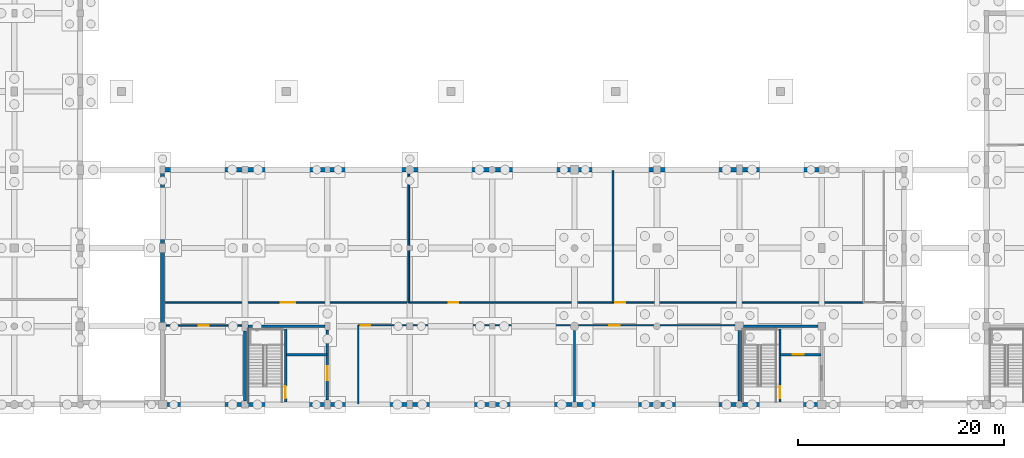
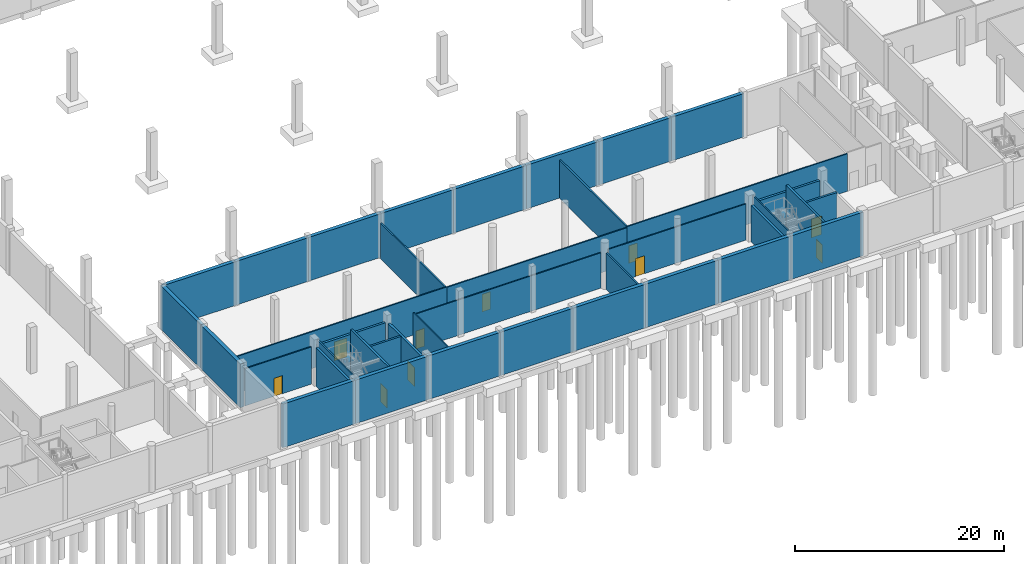
# One storey, part 25 of 44: 39 walls, 10 doors, 10 openings.
"""IFC4 building model written with IfcOpenShell, lengths in metres."""

from ifc_helpers import new_model, si_unit, direction, frame, frame_2d, origin, place, context, subcontext, project, spatial, rectangle, extrude, material, layer, layer_set, type_object, element, fill, save


model = new_model("IFC4")

# Units and contexts
model_context = context("Model", 3, precision=1e-05, world=origin(), true_north=direction((0.0, 1.0)))
body_context = subcontext(model_context, "Body", "Model", "MODEL_VIEW")
ifc_project = project(units=[si_unit("LENGTHUNIT", "METRE"), si_unit("AREAUNIT", "SQUARE_METRE"), si_unit("VOLUMEUNIT", "CUBIC_METRE"), si_unit("PLANEANGLEUNIT", "RADIAN"), si_unit("MASSUNIT", "GRAM", prefix="KILO")], contexts=[model_context])

# Site, building, storey
site_placement = place(None, origin())
site = spatial("IfcSite", under=ifc_project, at=site_placement, CompositionType="ELEMENT")
building_placement = place(site_placement, origin())
building = spatial("IfcBuilding", under=site, at=building_placement, Name="Khelvaren Railside Concert Hall", CompositionType="ELEMENT")
storey_placement = place(building_placement, frame((0.0, 0.0, -5.39990234375)))
storey = spatial("IfcBuildingStorey", under=building, at=storey_placement, Name="B1", CompositionType="ELEMENT", Elevation=-5.39990234375)

# Walls
ifc_material_1 = material(Name="Concrete C40/50", Category="concrete")
ifc_layer_1 = layer(ifc_material_1, 0.139892578125)
ifc_layer_set_1 = layer_set([ifc_layer_1], Name="Concrete C40/50")
wall_type_1 = type_object("IfcWallType", Name="CW17", PredefinedType="SOLIDWALL", material=ifc_layer_set_1)
for number, where, z_axis, x_axis, name in (
    (1, (72.27490234375, 0.14990234375, 0.0), (0.0, 0.0, 1.0), (0.0, 1.0, 0.0), "Core Shaft Structural Liner Wall ST-05-B1"),
    (2, (120.27490234375, 0.14990234375, 0.0), (0.0, 0.0, 1.0), (0.0, 1.0, 0.0), "Core Shaft Structural Liner Wall ST-06-B1"),
):
    element("IfcWall", number, at=place(storey_placement, frame(where, z_axis=z_axis, x_axis=x_axis)), inside=storey, type_object=wall_type_1, Name=name, PredefinedType="SOLIDWALL", context=body_context, shape_type="SweptSolid", body=[
        extrude(rectangle(XDim=7.300048828125, YDim=0.139892578125, at=frame_2d((3.64990234375, 0.0))), origin(), (0.0, 0.0, 1.0), 5.079833984375),
    ])
ifc_layer_2 = layer(ifc_material_1, 0.25)
ifc_layer_set_2 = layer_set([ifc_layer_2], Name="Concrete C40/50")
wall_type_2 = type_object("IfcWallType", Name="CW82", PredefinedType="SOLIDWALL", material=ifc_layer_set_2)
wall_1_placement = place(storey_placement, frame((72.0, 0.35009765625, 0.0), z_axis=(0.0, 0.0, 1.0), x_axis=(0.0, 1.0, 0.0)))
element("IfcWall", 3, at=wall_1_placement, inside=storey, type_object=wall_type_2, Name="Core Enclosure Wall CWALL-ST-05-B1-W", PredefinedType="SOLIDWALL", context=body_context, shape_type="SweptSolid", body=[
    extrude(rectangle(XDim=6.7998046875, YDim=0.25, at=frame_2d((3.39990234375, 0.0))), origin(), (0.0, 0.0, 1.0), 4.449951171875),
])
wall_2_placement = place(storey_placement, frame((72.300048828125, 7.60009765625, 0.0), z_axis=(0.0, 0.0, 1.0), x_axis=(1.0, 0.0, 0.0)))
element("IfcWall", 4, at=wall_2_placement, inside=storey, type_object=wall_type_2, Name="Core Enclosure Wall CWALL-ST-05-B1-N", PredefinedType="SOLIDWALL", context=body_context, shape_type="SweptSolid", body=[
    extrude(rectangle(XDim=7.449951171875, YDim=0.25, at=frame_2d((3.72509765625, 0.0))), origin(), (0.0, 0.0, 1.0), 4.409912109375),
])

# Wall, opening, door
wall_3_placement = place(storey_placement, frame((80.0, 0.449951171875, 0.0), z_axis=(0.0, 0.0, 1.0), x_axis=(0.0, 1.0, 0.0)))
wall_3 = element("IfcWall", 5, at=wall_3_placement, inside=storey, type_object=wall_type_2, Name="Core Enclosure Wall CWALL-ST-05-B1-E", PredefinedType="SOLIDWALL", context=body_context, shape_type="SweptSolid", body=[
    extrude(rectangle(XDim=6.775146484375, YDim=0.25, at=frame_2d((3.3876953125, 0.0))), origin(), (0.0, 0.0, 1.0), 4.434814453125),
])
opening_1_placement = place(wall_3_placement, frame((1.89990234375, 0.0, 0.0)))
opening_1 = element("IfcOpeningElement", 6, at=opening_1_placement, cuts=wall_3, Name="Opening FDR34", PredefinedType="OPENING", context=body_context, shape_type="SweptSolid", body=[
    extrude(rectangle(XDim=1.35009765625, YDim=2.199951171875, at=frame_2d((0.675048828125, 1.10009765625))), frame((0.0, 0.135009765625, 0.0), z_axis=(0.0, -1.0, 0.0), x_axis=(1.0, 0.0, 0.0)), (0.0, 0.0, 1.0), 0.27001953125),
])
ifc_material_2 = material(Name="Acoustic fire-rated timber-core steel frame door", Category="steel")
door_type_1 = type_object("IfcDoorType", Name="FDR34", OperationType="NOTDEFINED", PredefinedType="DOOR", material=ifc_material_2)
door_1_placement = place(opening_1_placement, origin())
door_1 = element("IfcDoor", 7, at=door_1_placement, inside=storey, type_object=door_type_1, Name="Interior Door DR-ST-05-B1-LOB", OperationType="SINGLE_SWING_LEFT", OverallHeight=2.199951171875, OverallWidth=1.35009765625, PredefinedType="DOOR", context=body_context, shape_type="SweptSolid", body=[
    extrude(rectangle(XDim=1.35009765625, YDim=2.199951171875, at=frame_2d((0.675048828125, 1.10009765625))), frame((0.0, 0.02490234375, 0.0), z_axis=(0.0, -1.0, 0.0), x_axis=(1.0, 0.0, 0.0)), (0.0, 0.0, 1.0), 0.050048828125),
])
fill(opening_1, door_1)

# Walls
wall_4_placement = place(storey_placement, frame((120.0, 0.324951171875, 0.0), z_axis=(0.0, 0.0, 1.0), x_axis=(0.0, 1.0, 0.0)))
element("IfcWall", 8, at=wall_4_placement, inside=storey, type_object=wall_type_2, Name="Core Enclosure Wall CWALL-ST-06-B1-W", PredefinedType="SOLIDWALL", context=body_context, shape_type="SweptSolid", body=[
    extrude(rectangle(XDim=6.875, YDim=0.25, at=frame_2d((3.4375, 0.0))), origin(), (0.0, 0.0, 1.0), 4.204833984375),
])
wall_5_placement = place(storey_placement, frame((120.39990234375, 7.60009765625, 0.0), z_axis=(0.0, 0.0, 1.0), x_axis=(1.0, 0.0, 0.0)))
element("IfcWall", 9, at=wall_5_placement, inside=storey, type_object=wall_type_2, Name="Core Enclosure Wall CWALL-ST-06-B1-N", PredefinedType="SOLIDWALL", context=body_context, shape_type="SweptSolid", body=[
    extrude(rectangle(XDim=7.25, YDim=0.25, at=frame_2d((3.625, 0.0))), origin(), (0.0, 0.0, 1.0), 4.204833984375),
])

# Wall, opening, door
ifc_layer_3 = layer(ifc_material_1, 0.219970703125)
ifc_layer_set_3 = layer_set([ifc_layer_3], Name="Concrete C40/50")
wall_type_3 = type_object("IfcWallType", Name="CW97", PredefinedType="SOLIDWALL", material=ifc_layer_set_3)
wall_6_placement = place(storey_placement, frame((75.949951171875, 0.25, 0.0), z_axis=(0.0, 0.0, 1.0), x_axis=(0.0, 1.0, 0.0)))
wall_6 = element("IfcWall", 10, at=wall_6_placement, inside=storey, type_object=wall_type_3, Name="Core Enclosure Wall CWALL-ST-05-B1-MID", PredefinedType="SOLIDWALL", context=body_context, shape_type="SweptSolid", body=[
    extrude(rectangle(XDim=7.10009765625, YDim=0.219970703125, at=frame_2d((3.550048828125, 0.0))), origin(), (0.0, 0.0, 1.0), 5.079833984375),
])
opening_2_placement = place(wall_6_placement, frame((0.35009765625, 0.0, 0.0)))
opening_2 = element("IfcOpeningElement", 11, at=opening_2_placement, cuts=wall_6, Name="Opening FDR17", PredefinedType="OPENING", context=body_context, shape_type="SweptSolid", body=[
    extrude(rectangle(XDim=1.199951171875, YDim=2.14990234375, at=frame_2d((0.60009765625, 1.074951171875))), frame((0.0, 0.119873046875, 0.0), z_axis=(0.0, -1.0, 0.0), x_axis=(1.0, 0.0, 0.0)), (0.0, 0.0, 1.0), 0.239990234375),
])
door_type_2 = type_object("IfcDoorType", Name="FDR17", OperationType="NOTDEFINED", PredefinedType="DOOR", material=ifc_material_2)
door_2_placement = place(opening_2_placement, origin())
door_2 = element("IfcDoor", 12, at=door_2_placement, inside=storey, type_object=door_type_2, Name="Interior Door DR-ST-05-B1-ST", OperationType="SINGLE_SWING_RIGHT", OverallHeight=2.14990234375, OverallWidth=1.199951171875, PredefinedType="DOOR", context=body_context, shape_type="SweptSolid", body=[
    extrude(rectangle(XDim=1.199951171875, YDim=2.14990234375, at=frame_2d((0.60009765625, 1.074951171875))), frame((0.0, 0.02490234375, 0.0), z_axis=(0.0, -1.0, 0.0), x_axis=(1.0, 0.0, 0.0)), (0.0, 0.0, 1.0), 0.050048828125),
])
fill(opening_2, door_2)

# Wall
wall_7_placement = place(storey_placement, frame((76.02001953125, 4.85009765625, 0.0), z_axis=(0.0, 0.0, 1.0), x_axis=(1.0, 0.0, 0.0)))
element("IfcWall", 13, at=wall_7_placement, inside=storey, type_object=wall_type_3, Name="Core Enclosure Wall CWALL-ST-05-B1-SHF", PredefinedType="SOLIDWALL", context=body_context, shape_type="SweptSolid", body=[
    extrude(rectangle(XDim=3.929931640625, YDim=0.219970703125, at=frame_2d((1.96484375, 0.0))), origin(), (0.0, 0.0, 1.0), 4.434814453125),
])

# Wall, opening, door
wall_8_placement = place(storey_placement, frame((123.949951171875, 0.25, 0.0), z_axis=(0.0, 0.0, 1.0), x_axis=(0.0, 1.0, 0.0)))
wall_8 = element("IfcWall", 14, at=wall_8_placement, inside=storey, type_object=wall_type_3, Name="Core Enclosure Wall CWALL-ST-06-B1-MID", PredefinedType="SOLIDWALL", context=body_context, shape_type="SweptSolid", body=[
    extrude(rectangle(XDim=7.10009765625, YDim=0.219970703125, at=frame_2d((3.550048828125, 0.0))), origin(), (0.0, 0.0, 1.0), 5.079833984375),
])
opening_3_placement = place(wall_8_placement, frame((0.35009765625, 0.0, 0.0)))
opening_3 = element("IfcOpeningElement", 15, at=opening_3_placement, cuts=wall_8, Name="Opening FDR17", PredefinedType="OPENING", context=body_context, shape_type="SweptSolid", body=[
    extrude(rectangle(XDim=1.199951171875, YDim=2.14990234375, at=frame_2d((0.60009765625, 1.074951171875))), frame((0.0, 0.119873046875, 0.0), z_axis=(0.0, -1.0, 0.0), x_axis=(1.0, 0.0, 0.0)), (0.0, 0.0, 1.0), 0.239990234375),
])
door_3_placement = place(opening_3_placement, origin())
door_3 = element("IfcDoor", 16, at=door_3_placement, inside=storey, type_object=door_type_2, Name="Interior Door DR-ST-06-B1-ST", OperationType="SINGLE_SWING_RIGHT", OverallHeight=2.14990234375, OverallWidth=1.199951171875, PredefinedType="DOOR", context=body_context, shape_type="SweptSolid", body=[
    extrude(rectangle(XDim=1.199951171875, YDim=2.14990234375, at=frame_2d((0.60009765625, 1.074951171875))), frame((0.0, 0.02490234375, 0.0), z_axis=(0.0, -1.0, 0.0), x_axis=(1.0, 0.0, 0.0)), (0.0, 0.0, 1.0), 0.050048828125),
])
fill(opening_3, door_3)

wall_9_placement = place(storey_placement, frame((124.02001953125, 4.85009765625, 0.0), z_axis=(0.0, 0.0, 1.0), x_axis=(1.0, 0.0, 0.0)))
wall_9 = element("IfcWall", 17, at=wall_9_placement, inside=storey, type_object=wall_type_3, Name="Core Enclosure Wall CWALL-ST-06-B1-SHF", PredefinedType="SOLIDWALL", context=body_context, shape_type="SweptSolid", body=[
    extrude(rectangle(XDim=3.929931640625, YDim=0.219970703125, at=frame_2d((1.96484375, 0.0))), origin(), (0.0, 0.0, 1.0), 4.3798828125),
])
opening_4_placement = place(wall_9_placement, frame((1.14990234375, 0.0, 0.0)))
opening_4 = element("IfcOpeningElement", 18, at=opening_4_placement, cuts=wall_9, Name="Opening LD-PL-04", PredefinedType="OPENING", context=body_context, shape_type="SweptSolid", body=[
    extrude(rectangle(XDim=1.10009765625, YDim=2.199951171875, at=frame_2d((0.550048828125, 1.10009765625))), frame((0.0, 0.119873046875, 0.0), z_axis=(0.0, -1.0, 0.0), x_axis=(1.0, 0.0, 0.0)), (0.0, 0.0, 1.0), 0.239990234375),
])
ifc_material_3 = material(Name="Fire-rated brushed stainless steel landing door", Category="steel")
door_type_3 = type_object("IfcDoorType", Name="LD96", OperationType="DOUBLE_DOOR_SLIDING", PredefinedType="DOOR", material=ifc_material_3)
door_4_placement = place(opening_4_placement, origin())
door_4 = element("IfcDoor", 19, at=door_4_placement, inside=storey, type_object=door_type_3, Name="Lift Landing Door LD-PL-04-B1", OperationType="DOUBLE_DOOR_SLIDING", OverallHeight=2.199951171875, OverallWidth=1.10009765625, PredefinedType="DOOR", context=body_context, shape_type="SweptSolid", body=[
    extrude(rectangle(XDim=1.10009765625, YDim=2.199951171875, at=frame_2d((0.550048828125, 1.10009765625))), frame((0.0, 0.02490234375, 0.0), z_axis=(0.0, -1.0, 0.0), x_axis=(1.0, 0.0, 0.0)), (0.0, 0.0, 1.0), 0.050048828125),
])
fill(opening_4, door_4)

# Wall
ifc_material_4 = material(Name="Acoustic double-stud gypsum partition", Category="gypsum")
ifc_layer_4 = layer(ifc_material_4, 0.179931640625)
ifc_layer_set_4 = layer_set([ifc_layer_4], Name="Acoustic double-stud gypsum partition")
wall_type_4 = type_object("IfcWallType", Name="PT53", PredefinedType="PARTITIONING", material=ifc_layer_set_4)
wall_10_placement = place(storey_placement, frame((107.739013671875, 9.89990234375, 0.0), z_axis=(0.0, 0.0, 1.0), x_axis=(0.0, 1.0, 0.0)))
element("IfcWall", 20, at=wall_10_placement, inside=storey, type_object=wall_type_4, Name="Acoustic Partition Wall PW-V3-B1-N-D02", PredefinedType="PARTITIONING", context=body_context, shape_type="SweptSolid", body=[
    extrude(rectangle(XDim=12.820068359375, YDim=0.179931640625, at=frame_2d((6.41015625, 0.0))), origin(), (0.0, 0.0, 1.0), 4.429931640625),
])

# Wall, opening, door
ifc_layer_5 = layer(ifc_material_4, 0.139892578125)
ifc_layer_set_5 = layer_set([ifc_layer_5], Name="Acoustic double-stud gypsum partition")
wall_type_5 = type_object("IfcWallType", Name="PT55", PredefinedType="PARTITIONING", material=ifc_layer_set_5)
wall_11_placement = place(storey_placement, frame((64.080078125, 9.89990234375, 0.0), z_axis=(0.0, 0.0, 1.0), x_axis=(1.0, 0.0, 0.0)))
wall_11 = element("IfcWall", 21, at=wall_11_placement, inside=storey, type_object=wall_type_5, Name="Acoustic Partition Wall PW-V3-B1-N-C01", PredefinedType="PARTITIONING", context=body_context, shape_type="SweptSolid", body=[
    extrude(rectangle(XDim=23.81396484375, YDim=0.139892578125, at=frame_2d((11.906982421875, 0.0))), origin(), (0.0, 0.0, 1.0), 4.304931640625),
])
opening_5_placement = place(wall_11_placement, frame((11.406982421875, 0.0, 0.0)))
opening_5 = element("IfcOpeningElement", 22, at=opening_5_placement, cuts=wall_11, Name="Opening IDR82", PredefinedType="OPENING", context=body_context, shape_type="SweptSolid", body=[
    extrude(rectangle(XDim=1.3798828125, YDim=2.199951171875, at=frame_2d((0.68994140625, 1.10009765625))), frame((0.0, 0.079833984375, 0.0), z_axis=(0.0, -1.0, 0.0), x_axis=(1.0, 0.0, 0.0)), (0.0, 0.0, 1.0), 0.159912109375),
])
ifc_material_5 = material(Name="Solid oak acoustic studio door", Category="wood")
door_type_4 = type_object("IfcDoorType", Name="IDR82", OperationType="NOTDEFINED", PredefinedType="DOOR", material=ifc_material_5)
door_5_placement = place(opening_5_placement, origin())
door_5 = element("IfcDoor", 23, at=door_5_placement, inside=storey, type_object=door_type_4, Name="Interior Door DR-V3-B1-N-01", OperationType="SINGLE_SWING_LEFT", OverallHeight=2.199951171875, OverallWidth=1.3798828125, PredefinedType="DOOR", context=body_context, shape_type="SweptSolid", body=[
    extrude(rectangle(XDim=1.3798828125, YDim=2.199951171875, at=frame_2d((0.68994140625, 1.10009765625))), frame((0.0, 0.02490234375, 0.0), z_axis=(0.0, -1.0, 0.0), x_axis=(1.0, 0.0, 0.0)), (0.0, 0.0, 1.0), 0.050048828125),
])
fill(opening_5, door_5)

wall_12_placement = place(storey_placement, frame((87.89404296875, 9.89990234375, 0.0), z_axis=(0.0, 0.0, 1.0), x_axis=(1.0, 0.0, 0.0)))
wall_12 = element("IfcWall", 24, at=wall_12_placement, inside=storey, type_object=wall_type_5, Name="Acoustic Partition Wall PW-V3-B1-N-C02", PredefinedType="PARTITIONING", context=body_context, shape_type="SweptSolid", body=[
    extrude(rectangle(XDim=19.844970703125, YDim=0.139892578125, at=frame_2d((9.92236328125, 0.0))), origin(), (0.0, 0.0, 1.0), 4.2548828125),
])
opening_6_placement = place(wall_12_placement, frame((3.90087890625, 0.0, 0.0)))
opening_6 = element("IfcOpeningElement", 25, at=opening_6_placement, cuts=wall_12, Name="Opening IDR59", PredefinedType="OPENING", context=body_context, shape_type="SweptSolid", body=[
    extrude(rectangle(XDim=0.89990234375, YDim=2.050048828125, at=frame_2d((0.449951171875, 1.02490234375))), frame((0.0, 0.079833984375, 0.0), z_axis=(0.0, -1.0, 0.0), x_axis=(1.0, 0.0, 0.0)), (0.0, 0.0, 1.0), 0.159912109375),
])
door_type_5 = type_object("IfcDoorType", Name="IDR59", OperationType="NOTDEFINED", PredefinedType="DOOR", material=ifc_material_5)
door_6_placement = place(opening_6_placement, origin())
door_6 = element("IfcDoor", 26, at=door_6_placement, inside=storey, type_object=door_type_5, Name="Interior Door DR-V3-B1-N-02", OperationType="SINGLE_SWING_RIGHT", OverallHeight=2.050048828125, OverallWidth=0.89990234375, PredefinedType="DOOR", context=body_context, shape_type="SweptSolid", body=[
    extrude(rectangle(XDim=0.89990234375, YDim=2.050048828125, at=frame_2d((0.449951171875, 1.02490234375))), frame((0.0, 0.02490234375, 0.0), z_axis=(0.0, -1.0, 0.0), x_axis=(1.0, 0.0, 0.0)), (0.0, 0.0, 1.0), 0.050048828125),
])
fill(opening_6, door_6)

wall_13_placement = place(storey_placement, frame((107.739013671875, 9.89990234375, 0.0), z_axis=(0.0, 0.0, 1.0), x_axis=(1.0, 0.0, 0.0)))
wall_13 = element("IfcWall", 27, at=wall_13_placement, inside=storey, type_object=wall_type_5, Name="Acoustic Partition Wall PW-V3-B1-N-C03", PredefinedType="PARTITIONING", context=body_context, shape_type="SweptSolid", body=[
    extrude(rectangle(XDim=24.31005859375, YDim=0.139892578125, at=frame_2d((12.155029296875, 0.0))), origin(), (0.0, 0.0, 1.0), 4.3798828125),
])
opening_7_placement = place(wall_13_placement, frame((0.219970703125, 0.0, 0.0)))
opening_7 = element("IfcOpeningElement", 28, at=opening_7_placement, cuts=wall_13, Name="Opening IDR92", PredefinedType="OPENING", context=body_context, shape_type="SweptSolid", body=[
    extrude(rectangle(XDim=0.93994140625, YDim=2.050048828125, at=frame_2d((0.469970703125, 1.02490234375))), frame((0.0, 0.079833984375, 0.0), z_axis=(0.0, -1.0, 0.0), x_axis=(1.0, 0.0, 0.0)), (0.0, 0.0, 1.0), 0.159912109375),
])
door_type_6 = type_object("IfcDoorType", Name="IDR92", OperationType="NOTDEFINED", PredefinedType="DOOR", material=ifc_material_5)
door_7_placement = place(opening_7_placement, origin())
door_7 = element("IfcDoor", 29, at=door_7_placement, inside=storey, type_object=door_type_6, Name="Interior Door DR-V3-B1-N-03", OperationType="SINGLE_SWING_LEFT", OverallHeight=2.050048828125, OverallWidth=0.93994140625, PredefinedType="DOOR", context=body_context, shape_type="SweptSolid", body=[
    extrude(rectangle(XDim=0.93994140625, YDim=2.050048828125, at=frame_2d((0.469970703125, 1.02490234375))), frame((0.0, 0.02490234375, 0.0), z_axis=(0.0, -1.0, 0.0), x_axis=(1.0, 0.0, 0.0)), (0.0, 0.0, 1.0), 0.050048828125),
])
fill(opening_7, door_7)

wall_14_placement = place(storey_placement, frame((64.35009765625, 7.699951171875, 0.0), z_axis=(0.0, 0.0, 1.0), x_axis=(1.0, 0.0, 0.0)))
wall_14 = element("IfcWall", 30, at=wall_14_placement, inside=storey, type_object=wall_type_5, Name="Acoustic Partition Wall PW-V3-B1-SW-C01", PredefinedType="PARTITIONING", context=body_context, shape_type="SweptSolid", body=[
    extrude(rectangle(XDim=7.349853515625, YDim=0.139892578125, at=frame_2d((3.6748046875, 0.0))), origin(), (0.0, 0.0, 1.0), 4.329833984375),
])
opening_8_placement = place(wall_14_placement, frame((3.175048828125, 0.0, 0.0)))
opening_8 = element("IfcOpeningElement", 31, at=opening_8_placement, cuts=wall_14, Name="Opening IDR30", PredefinedType="OPENING", context=body_context, shape_type="SweptSolid", body=[
    extrude(rectangle(XDim=0.929931640625, YDim=2.10009765625, at=frame_2d((0.46484375, 1.050048828125))), frame((0.0, 0.079833984375, 0.0), z_axis=(0.0, -1.0, 0.0), x_axis=(1.0, 0.0, 0.0)), (0.0, 0.0, 1.0), 0.159912109375),
])
door_type_7 = type_object("IfcDoorType", Name="IDR30", OperationType="NOTDEFINED", PredefinedType="DOOR", material=ifc_material_5)
door_8_placement = place(opening_8_placement, origin())
door_8 = element("IfcDoor", 32, at=door_8_placement, inside=storey, type_object=door_type_7, Name="Interior Door DR-V3-B1-SW-01", OperationType="SINGLE_SWING_RIGHT", OverallHeight=2.10009765625, OverallWidth=0.929931640625, PredefinedType="DOOR", context=body_context, shape_type="SweptSolid", body=[
    extrude(rectangle(XDim=0.929931640625, YDim=2.10009765625, at=frame_2d((0.46484375, 1.050048828125))), frame((0.0, 0.02490234375, 0.0), z_axis=(0.0, -1.0, 0.0), x_axis=(1.0, 0.0, 0.0)), (0.0, 0.0, 1.0), 0.050048828125),
])
fill(opening_8, door_8)

ifc_layer_6 = layer(ifc_material_4, 0.1298828125)
ifc_layer_set_6 = layer_set([ifc_layer_6], Name="Acoustic double-stud gypsum partition")
wall_type_6 = type_object("IfcWallType", Name="PT69", PredefinedType="PARTITIONING", material=ifc_layer_set_6)
wall_15_placement = place(storey_placement, frame((83.0, 7.699951171875, 0.0), z_axis=(0.0, 0.0, 1.0), x_axis=(1.0, 0.0, 0.0)))
wall_15 = element("IfcWall", 33, at=wall_15_placement, inside=storey, type_object=wall_type_6, Name="Acoustic Partition Wall PW-V3-B1-S-C01", PredefinedType="PARTITIONING", context=body_context, shape_type="SweptSolid", body=[
    extrude(rectangle(XDim=20.60009765625, YDim=0.1298828125, at=frame_2d((10.300048828125, 0.0))), origin(), (0.0, 0.0, 1.0), 4.119873046875),
])
opening_9_placement = place(wall_15_placement, frame((0.219970703125, 0.0, 0.0)))
opening_9 = element("IfcOpeningElement", 34, at=opening_9_placement, cuts=wall_15, Name="Opening IDR22", PredefinedType="OPENING", context=body_context, shape_type="SweptSolid", body=[
    extrude(rectangle(XDim=0.9599609375, YDim=2.10009765625, at=frame_2d((0.47998046875, 1.050048828125))), frame((0.0, 0.074951171875, 0.0), z_axis=(0.0, -1.0, 0.0), x_axis=(1.0, 0.0, 0.0)), (0.0, 0.0, 1.0), 0.14990234375),
])
door_type_8 = type_object("IfcDoorType", Name="IDR22", OperationType="NOTDEFINED", PredefinedType="DOOR", material=ifc_material_5)
door_9_placement = place(opening_9_placement, origin())
door_9 = element("IfcDoor", 35, at=door_9_placement, inside=storey, type_object=door_type_8, Name="Interior Door DR-V3-B1-S-01", OperationType="SINGLE_SWING_LEFT", OverallHeight=2.10009765625, OverallWidth=0.9599609375, PredefinedType="DOOR", context=body_context, shape_type="SweptSolid", body=[
    extrude(rectangle(XDim=0.9599609375, YDim=2.10009765625, at=frame_2d((0.47998046875, 1.050048828125))), frame((0.0, 0.02490234375, 0.0), z_axis=(0.0, -1.0, 0.0), x_axis=(1.0, 0.0, 0.0)), (0.0, 0.0, 1.0), 0.050048828125),
])
fill(opening_9, door_9)

wall_16_placement = place(storey_placement, frame((104.39990234375, 7.699951171875, 0.0), z_axis=(0.0, 0.0, 1.0), x_axis=(1.0, 0.0, 0.0)))
wall_16 = element("IfcWall", 36, at=wall_16_placement, inside=storey, type_object=wall_type_6, Name="Acoustic Partition Wall PW-V3-B1-S-C02", PredefinedType="PARTITIONING", context=body_context, shape_type="SweptSolid", body=[
    extrude(rectangle(XDim=15.2001953125, YDim=0.1298828125, at=frame_2d((7.60009765625, 0.0))), origin(), (0.0, 0.0, 1.0), 4.219970703125),
])
opening_10_placement = place(wall_16_placement, frame((2.971923828125, 0.0, 0.0)))
opening_10 = element("IfcOpeningElement", 37, at=opening_10_placement, cuts=wall_16, Name="Opening IDR87", PredefinedType="OPENING", context=body_context, shape_type="SweptSolid", body=[
    extrude(rectangle(XDim=1.02001953125, YDim=2.10009765625, at=frame_2d((0.510009765625, 1.050048828125))), frame((0.0, 0.074951171875, 0.0), z_axis=(0.0, -1.0, 0.0), x_axis=(1.0, 0.0, 0.0)), (0.0, 0.0, 1.0), 0.14990234375),
])
door_type_9 = type_object("IfcDoorType", Name="IDR87", OperationType="NOTDEFINED", PredefinedType="DOOR", material=ifc_material_5)
door_10_placement = place(opening_10_placement, origin())
door_10 = element("IfcDoor", 38, at=door_10_placement, inside=storey, type_object=door_type_9, Name="Interior Door DR-V3-B1-S-02", OperationType="SINGLE_SWING_RIGHT", OverallHeight=2.10009765625, OverallWidth=1.02001953125, PredefinedType="DOOR", context=body_context, shape_type="SweptSolid", body=[
    extrude(rectangle(XDim=1.02001953125, YDim=2.10009765625, at=frame_2d((0.510009765625, 1.050048828125))), frame((0.0, 0.02490234375, 0.0), z_axis=(0.0, -1.0, 0.0), x_axis=(1.0, 0.0, 0.0)), (0.0, 0.0, 1.0), 0.050048828125),
])
fill(opening_10, door_10)

# Walls
wall_17_placement = place(storey_placement, frame((83.0, 0.080078125, 0.0), z_axis=(0.0, 0.0, 1.0), x_axis=(0.0, 1.0, 0.0)))
element("IfcWall", 39, at=wall_17_placement, inside=storey, type_object=wall_type_6, Name="Acoustic Partition Wall PW-V3-B1-S-W0", PredefinedType="PARTITIONING", context=body_context, shape_type="SweptSolid", body=[
    extrude(rectangle(XDim=7.619873046875, YDim=0.1298828125, at=frame_2d((3.81005859375, 0.0))), origin(), (0.0, 0.0, 1.0), 4.329833984375),
])
ifc_layer_7 = layer(ifc_material_4, 0.159912109375)
ifc_layer_set_7 = layer_set([ifc_layer_7], Name="Acoustic double-stud gypsum partition")
wall_type_7 = type_object("IfcWallType", Name="PT97", PredefinedType="PARTITIONING", material=ifc_layer_set_7)
wall_18_placement = place(storey_placement, frame((87.89404296875, 9.89990234375, 0.0), z_axis=(0.0, 0.0, 1.0), x_axis=(0.0, 1.0, 0.0)))
element("IfcWall", 40, at=wall_18_placement, inside=storey, type_object=wall_type_7, Name="Acoustic Partition Wall PW-V3-B1-N-D01", PredefinedType="PARTITIONING", context=body_context, shape_type="SweptSolid", body=[
    extrude(rectangle(XDim=12.5, YDim=0.159912109375, at=frame_2d((6.25, 0.0))), origin(), (0.0, 0.0, 1.0), 4.15478515625),
])
wall_19_placement = place(storey_placement, frame((104.0, 0.25, 0.0), z_axis=(0.0, 0.0, 1.0), x_axis=(0.0, 1.0, 0.0)))
element("IfcWall", 41, at=wall_19_placement, inside=storey, type_object=wall_type_7, Name="Acoustic Partition Wall PW-V3-B1-S-D01", PredefinedType="PARTITIONING", context=body_context, shape_type="SweptSolid", body=[
    extrude(rectangle(XDim=6.949951171875, YDim=0.159912109375, at=frame_2d((3.47509765625, 0.0))), origin(), (0.0, 0.0, 1.0), 4.2548828125),
])
ifc_layer_8 = layer(ifc_material_1, 0.39990234375)
ifc_layer_set_8 = layer_set([ifc_layer_8], Name="Concrete C40/50")
wall_type_8 = type_object("IfcWallType", Name="RW96", PredefinedType="USERDEFINED", material=ifc_layer_set_8)
for number, where, z_axis, x_axis, name in (
    (42, (64.0, 0.0, 0.0), (0.0, 0.0, 1.0), (1.0, 0.0, 0.0), "V3 Basement Retaining Wall S01"),
    (43, (72.0, 0.0, 0.0), (0.0, 0.0, 1.0), (1.0, 0.0, 0.0), "V3 Basement Retaining Wall S02"),
    (44, (80.0, 0.0, 0.0), (0.0, 0.0, 1.0), (1.0, 0.0, 0.0), "V3 Basement Retaining Wall S03"),
    (45, (88.0, 0.0, 0.0), (0.0, 0.0, 1.0), (1.0, 0.0, 0.0), "V3 Basement Retaining Wall S04"),
    (46, (96.0, 0.0, 0.0), (0.0, 0.0, 1.0), (1.0, 0.0, 0.0), "V3 Basement Retaining Wall S05"),
    (47, (104.0, 0.0, 0.0), (0.0, 0.0, 1.0), (1.0, 0.0, 0.0), "V3 Basement Retaining Wall S06"),
    (48, (112.0, 0.0, 0.0), (0.0, 0.0, 1.0), (1.0, 0.0, 0.0), "V3 Basement Retaining Wall S07"),
    (49, (120.0, 0.0, 0.0), (0.0, 0.0, 1.0), (1.0, 0.0, 0.0), "V3 Basement Retaining Wall S08"),
    (50, (72.0, 22.800048828125, 0.0), (0.0, 0.0, 1.0), (-1.0, 0.0, 0.0), "V3 Basement Retaining Wall N01"),
    (51, (80.0, 22.800048828125, 0.0), (0.0, 0.0, 1.0), (-1.0, 0.0, 0.0), "V3 Basement Retaining Wall N02"),
    (52, (88.0, 22.800048828125, 0.0), (0.0, 0.0, 1.0), (-1.0, 0.0, 0.0), "V3 Basement Retaining Wall N03"),
    (53, (96.0, 22.800048828125, 0.0), (0.0, 0.0, 1.0), (-1.0, 0.0, 0.0), "V3 Basement Retaining Wall N04"),
    (54, (104.0, 22.800048828125, 0.0), (0.0, 0.0, 1.0), (-1.0, 0.0, 0.0), "V3 Basement Retaining Wall N05"),
    (55, (112.0, 22.800048828125, 0.0), (0.0, 0.0, 1.0), (-1.0, 0.0, 0.0), "V3 Basement Retaining Wall N06"),
    (56, (120.0, 22.800048828125, 0.0), (0.0, 0.0, 1.0), (-1.0, 0.0, 0.0), "V3 Basement Retaining Wall N07"),
    (57, (128.0, 22.800048828125, 0.0), (0.0, 0.0, 1.0), (-1.0, 0.0, 0.0), "V3 Basement Retaining Wall N08"),
):
    element("IfcWall", number, at=place(storey_placement, frame(where, z_axis=z_axis, x_axis=x_axis)), inside=storey, type_object=wall_type_8, Name=name, ObjectType="RETAINING WALL", PredefinedType="USERDEFINED", context=body_context, shape_type="SweptSolid", body=[
        extrude(rectangle(XDim=8.0, YDim=0.39990234375, at=frame_2d((4.0, 0.0))), origin(), (0.0, 0.0, 1.0), 5.079833984375),
    ])
wall_20_placement = place(storey_placement, frame((64.0, 15.199951171875, 0.0), z_axis=(0.0, 0.0, 1.0), x_axis=(0.0, -1.0, 0.0)))
element("IfcWall", 58, at=wall_20_placement, inside=storey, type_object=wall_type_8, Name="V3 Basement Retaining Wall W02", ObjectType="RETAINING WALL", PredefinedType="USERDEFINED", context=body_context, shape_type="SweptSolid", body=[
    extrude(rectangle(XDim=7.599853515625, YDim=0.39990234375, at=frame_2d((3.7998046875, 0.0))), origin(), (0.0, 0.0, 1.0), 5.079833984375),
])
wall_21_placement = place(storey_placement, frame((64.0, 22.800048828125, 0.0), z_axis=(0.0, 0.0, 1.0), x_axis=(0.0, -1.0, 0.0)))
element("IfcWall", 59, at=wall_21_placement, inside=storey, type_object=wall_type_8, Name="V3 Basement Retaining Wall W03", ObjectType="RETAINING WALL", PredefinedType="USERDEFINED", context=body_context, shape_type="SweptSolid", body=[
    extrude(rectangle(XDim=7.60009765625, YDim=0.39990234375, at=frame_2d((3.800048828125, 0.0))), origin(), (0.0, 0.0, 1.0), 5.079833984375),
])

save(model, "model.ifc")
